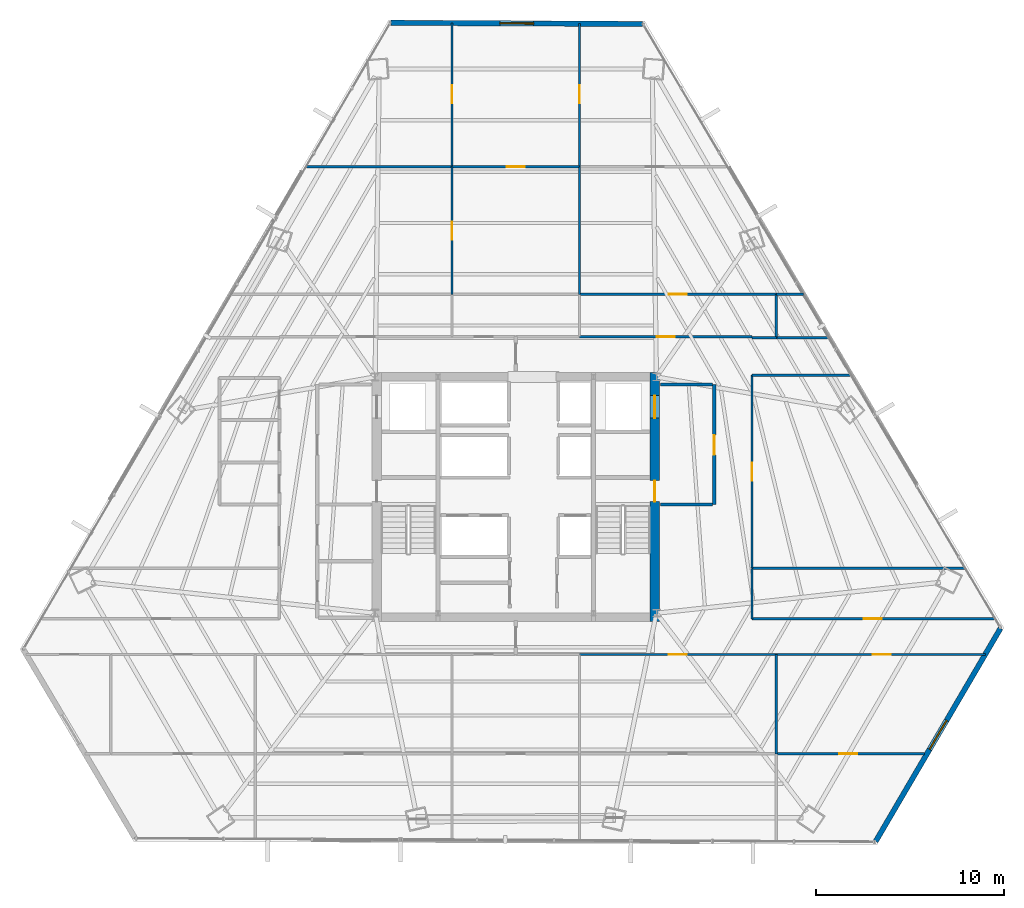
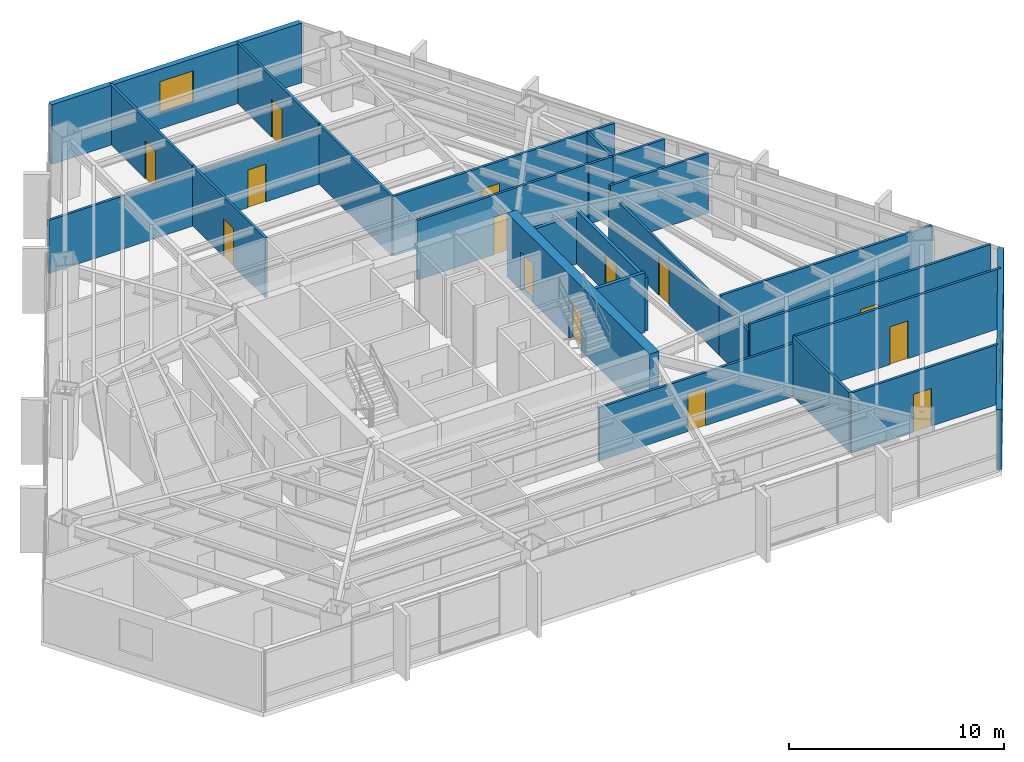
# One storey, part 31 of 35: 27 walls, 14 doors, 2 windows, 16 openings.
"""IFC4 building model written with IfcOpenShell, lengths in metres."""

from ifc_helpers import new_model, si_unit, direction, frame, frame_2d, origin, place, context, subcontext, project, spatial, rectangle, extrude, material, layer, layer_set, type_object, element, fill, save


model = new_model("IFC4")

# Units and contexts
model_context = context("Model", 3, precision=1e-05, world=origin(), true_north=direction((0.0, 1.0)))
body_context = subcontext(model_context, "Body", "Model", "MODEL_VIEW")
ifc_project = project(units=[si_unit("LENGTHUNIT", "METRE"), si_unit("AREAUNIT", "SQUARE_METRE"), si_unit("VOLUMEUNIT", "CUBIC_METRE"), si_unit("PLANEANGLEUNIT", "RADIAN"), si_unit("MASSUNIT", "GRAM", prefix="KILO")], contexts=[model_context])

# Site, building, storey
site_placement = place(None, origin())
site = spatial("IfcSite", under=ifc_project, at=site_placement, CompositionType="ELEMENT")
building_placement = place(site_placement, origin())
building = spatial("IfcBuilding", under=site, at=building_placement, Name="Caelisora Broadcast Tower", CompositionType="ELEMENT")
storey_placement = place(building_placement, frame((0.0, 0.0, 109.050048828125)))
storey = spatial("IfcBuildingStorey", under=building, at=storey_placement, Name="L28", CompositionType="ELEMENT", Elevation=109.050048828125)

# Wall, openings, doors
ifc_material_1 = material(Name="Concrete 50 MPa (AS 3600 S50)", Category="concrete")
ifc_layer_1 = layer(ifc_material_1, 0.5, Name="Concrete 50 MPa (AS 3600 S50)")
ifc_layer_set_1 = layer_set([ifc_layer_1], Name="Concrete 50 MPa (AS 3600 S50)")
wall_type_1 = type_object("IfcWallType", Name="CW2", PredefinedType="SHEAR", material=ifc_layer_set_1)
wall_1_placement = place(storey_placement, frame((45.409912109375, 16.949951171875, 0.0), z_axis=(0.0, 0.0, 1.0), x_axis=(0.0, 1.0, 0.0)))
wall_1 = element("IfcWall", 1, at=wall_1_placement, inside=storey, type_object=wall_type_1, Name="L28 core shear wall CW2", PredefinedType="SHEAR", context=body_context, shape_type="SweptSolid", body=[
    extrude(rectangle(XDim=13.275146484375, YDim=0.5, at=frame_2d((6.6376953125, 0.0))), origin(), (0.0, 0.0, 1.0), 3.64990234375),
])
opening_1_placement = place(wall_1_placement, frame((6.39990234375, 0.0, 0.0)))
opening_1 = element("IfcOpeningElement", 2, at=opening_1_placement, cuts=wall_1, Name="Opening FD04", PredefinedType="OPENING", context=body_context, shape_type="SweptSolid", body=[
    extrude(rectangle(XDim=1.1201171875, YDim=2.14990234375, at=frame_2d((0.56005859375, 1.074951171875))), frame((0.0, 0.261962890625, 0.0), z_axis=(0.0, -1.0, 0.0), x_axis=(1.0, 0.0, 0.0)), (0.0, 0.0, 1.0), 0.52392578125),
])
opening_2_placement = place(wall_1_placement, frame((10.85009765625, 0.0, 0.0)))
opening_2 = element("IfcOpeningElement", 3, at=opening_2_placement, cuts=wall_1, Name="Opening LD04", PredefinedType="OPENING", context=body_context, shape_type="SweptSolid", body=[
    extrude(rectangle(XDim=1.199951171875, YDim=2.199951171875, at=frame_2d((0.60009765625, 1.10009765625))), frame((0.0, 0.261962890625, 0.0), z_axis=(0.0, -1.0, 0.0), x_axis=(1.0, 0.0, 0.0)), (0.0, 0.0, 1.0), 0.52392578125),
])
ifc_material_2 = material(Name="Pressurised Fire-Isolated Stair Door", Category="steel")
door_type_1 = type_object("IfcDoorType", Name="FD04", OperationType="NOTDEFINED", PredefinedType="DOOR", material=ifc_material_2)
door_1_placement = place(opening_1_placement, origin())
door_1 = element("IfcDoor", 4, at=door_1_placement, inside=storey, type_object=door_type_1, Name="L28 door FD04 (L28-DR-ST2)", OperationType="SINGLE_SWING_RIGHT", OverallHeight=2.14990234375, OverallWidth=1.1201171875, PredefinedType="DOOR", context=body_context, shape_type="SweptSolid", body=[
    extrude(rectangle(XDim=1.1201171875, YDim=2.14990234375, at=frame_2d((0.56005859375, 1.074951171875))), frame((0.0, 0.02490234375, 0.0), z_axis=(0.0, -1.0, 0.0), x_axis=(1.0, 0.0, 0.0)), (0.0, 0.0, 1.0), 0.050048828125),
])
fill(opening_1, door_1)
ifc_material_3 = material(Name="Emergency Firefighting Lift Sliding Landing Door", Category="steel")
door_type_2 = type_object("IfcDoorType", Name="LD04", OperationType="NOTDEFINED", PredefinedType="DOOR", material=ifc_material_3)
door_2_placement = place(opening_2_placement, origin())
door_2 = element("IfcDoor", 5, at=door_2_placement, inside=storey, type_object=door_type_2, Name="L28 door LD04 (L28-LD-FFL2)", OperationType="SLIDING_TO_RIGHT", OverallHeight=2.199951171875, OverallWidth=1.199951171875, PredefinedType="DOOR", context=body_context, shape_type="SweptSolid", body=[
    extrude(rectangle(XDim=1.199951171875, YDim=2.199951171875, at=frame_2d((0.60009765625, 1.10009765625))), frame((0.0, 0.02490234375, 0.0), z_axis=(0.0, -1.0, 0.0), x_axis=(1.0, 0.0, 0.0)), (0.0, 0.0, 1.0), 0.050048828125),
])
fill(opening_2, door_2)

# Wall, opening, window
ifc_material_4 = material(Name="Insulated Terracotta Spandrel Wall System", Category="masonry")
ifc_layer_2 = layer(ifc_material_4, 0.280029296875, Name="Insulated Terracotta Spandrel Wall System")
ifc_layer_set_2 = layer_set([ifc_layer_2], Name="Insulated Terracotta Spandrel Wall System")
wall_type_2 = type_object("IfcWallType", Name="EW1", PredefinedType="STANDARD", material=ifc_layer_set_2)
wall_2_placement = place(storey_placement, frame((63.848876953125, 16.589111328125, 0.0), z_axis=(0.0, 0.0, 1.0), x_axis=(-0.505497625537, -0.862827995939, 0.0)))
wall_2 = element("IfcWall", 6, at=wall_2_placement, inside=storey, type_object=wall_type_2, Name="L28 exterior envelope wall EW1", PredefinedType="STANDARD", context=body_context, shape_type="SweptSolid", body=[
    extrude(rectangle(XDim=13.160400390625, YDim=0.280029296875, at=frame_2d((6.580078125, 0.0))), origin(), (0.0, 0.0, 1.0), 3.39990234375),
])
opening_3_placement = place(wall_2_placement, frame((5.679931640625, 0.0, 0.89990234375)))
opening_3 = element("IfcOpeningElement", 7, at=opening_3_placement, cuts=wall_2, Name="Opening W01", PredefinedType="OPENING", context=body_context, shape_type="SweptSolid", body=[
    extrude(rectangle(XDim=1.800048828125, YDim=1.800048828125, at=frame_2d((0.89990234375, 0.89990234375))), frame((0.0, 0.152099609375, 0.0), z_axis=(0.0, -1.0, 0.0), x_axis=(1.0, 0.0, 0.0)), (0.0, 0.0, 1.0), 0.303955078125),
])
ifc_material_5 = material(Name="Double Glazed Terracotta-Framed Vision Window", Category="glass")
window_type = type_object("IfcWindowType", Name="W01", PartitioningType="SINGLE_PANEL", PredefinedType="WINDOW", material=ifc_material_5)
window_1_placement = place(opening_3_placement, origin())
window_1 = element("IfcWindow", 8, at=window_1_placement, inside=storey, type_object=window_type, Name="L28 window W01 (L28-WN-CH0)", OverallHeight=1.800048828125, OverallWidth=1.800048828125, PartitioningType="SINGLE_PANEL", PredefinedType="WINDOW", context=body_context, shape_type="SweptSolid", body=[
    extrude(rectangle(XDim=1.800048828125, YDim=1.800048828125, at=frame_2d((0.89990234375, 0.89990234375))), frame((0.0, 0.030029296875, 0.0), z_axis=(0.0, -1.0, 0.0), x_axis=(1.0, 0.0, 0.0)), (0.0, 0.0, 1.0), 0.06005859375),
])
fill(opening_3, window_1)

wall_3_placement = place(storey_placement, frame((31.344970703125, 48.885986328125, 0.0), z_axis=(0.0, 0.0, 1.0), x_axis=(0.999988983451, -0.004693929804, 0.0)))
wall_3 = element("IfcWall", 9, at=wall_3_placement, inside=storey, type_object=wall_type_2, Name="L28 exterior envelope wall EW1", PredefinedType="STANDARD", context=body_context, shape_type="SweptSolid", body=[
    extrude(rectangle(XDim=13.419189453125, YDim=0.280029296875, at=frame_2d((6.70947265625, 0.0))), origin(), (0.0, 0.0, 1.0), 3.39990234375),
])
opening_4_placement = place(wall_3_placement, frame((5.81005859375, 0.0, 0.89990234375)))
opening_4 = element("IfcOpeningElement", 10, at=opening_4_placement, cuts=wall_3, Name="Opening W01", PredefinedType="OPENING", context=body_context, shape_type="SweptSolid", body=[
    extrude(rectangle(XDim=1.800048828125, YDim=1.800048828125, at=frame_2d((0.89990234375, 0.89990234375))), frame((0.0, 0.152099609375, 0.0), z_axis=(0.0, -1.0, 0.0), x_axis=(1.0, 0.0, 0.0)), (0.0, 0.0, 1.0), 0.303955078125),
])
window_2_placement = place(opening_4_placement, origin())
window_2 = element("IfcWindow", 11, at=window_2_placement, inside=storey, type_object=window_type, Name="L28 window W01 (L28-WN-CH8)", OverallHeight=1.800048828125, OverallWidth=1.800048828125, PartitioningType="SINGLE_PANEL", PredefinedType="WINDOW", context=body_context, shape_type="SweptSolid", body=[
    extrude(rectangle(XDim=1.800048828125, YDim=1.800048828125, at=frame_2d((0.89990234375, 0.89990234375))), frame((0.0, 0.030029296875, 0.0), z_axis=(0.0, -1.0, 0.0), x_axis=(1.0, 0.0, 0.0)), (0.0, 0.0, 1.0), 0.06005859375),
])
fill(opening_4, window_2)

# Wall, opening, door
ifc_material_6 = material(Name="Fire-Rated Gypsum Shaft and Compartment Wall", Category="gypsum")
ifc_layer_3 = layer(ifc_material_6, 0.179931640625, Name="Fire-Rated Gypsum Shaft and Compartment Wall")
ifc_layer_set_3 = layer_set([ifc_layer_3], Name="Fire-Rated Gypsum Shaft and Compartment Wall")
wall_type_3 = type_object("IfcWallType", Name="PW2", PredefinedType="PARTITIONING", material=ifc_layer_set_3)
wall_4_placement = place(storey_placement, frame((48.580078125, 23.199951171875, 0.0), z_axis=(0.0, 0.0, 1.0), x_axis=(0.0, 1.0, 0.0)))
wall_4 = element("IfcWall", 12, at=wall_4_placement, inside=storey, type_object=wall_type_3, Name="L28 fire compartment wall PW2", PredefinedType="PARTITIONING", context=body_context, shape_type="SweptSolid", body=[
    extrude(rectangle(XDim=6.400146484375, YDim=0.179931640625, at=frame_2d((3.2001953125, 0.0))), origin(), (0.0, 0.0, 1.0), 3.0263671875),
])
opening_5_placement = place(wall_4_placement, frame((2.64990234375, 0.0, 0.0)))
opening_5 = element("IfcOpeningElement", 13, at=opening_5_placement, cuts=wall_4, Name="Opening FD02", PredefinedType="OPENING", context=body_context, shape_type="SweptSolid", body=[
    extrude(rectangle(XDim=1.050048828125, YDim=2.14990234375, at=frame_2d((0.52490234375, 1.074951171875))), frame((0.0, 0.10205078125, 0.0), z_axis=(0.0, -1.0, 0.0), x_axis=(1.0, 0.0, 0.0)), (0.0, 0.0, 1.0), 0.203857421875),
])
ifc_material_7 = material(Name="Single-Leaf Steel Fire Lobby Door", Category="steel")
door_type_3 = type_object("IfcDoorType", Name="FD02", OperationType="NOTDEFINED", PredefinedType="DOOR", material=ifc_material_7)
door_3_placement = place(opening_5_placement, origin())
door_3 = element("IfcDoor", 14, at=door_3_placement, inside=storey, type_object=door_type_3, Name="L28 door FD02 (L28-DR-P04D1)", OperationType="SINGLE_SWING_LEFT", OverallHeight=2.14990234375, OverallWidth=1.050048828125, PredefinedType="DOOR", context=body_context, shape_type="SweptSolid", body=[
    extrude(rectangle(XDim=1.050048828125, YDim=2.14990234375, at=frame_2d((0.52490234375, 1.074951171875))), frame((0.0, 0.02490234375, 0.0), z_axis=(0.0, -1.0, 0.0), x_axis=(1.0, 0.0, 0.0)), (0.0, 0.0, 1.0), 0.050048828125),
])
fill(opening_5, door_3)

# Walls
wall_5_placement = place(storey_placement, frame((45.719970703125, 23.199951171875, 0.0), z_axis=(0.0, 0.0, 1.0), x_axis=(1.0, 0.0, 0.0)))
element("IfcWall", 15, at=wall_5_placement, inside=storey, type_object=wall_type_3, Name="L28 fire compartment wall PW2", PredefinedType="PARTITIONING", context=body_context, shape_type="SweptSolid", body=[
    extrude(rectangle(XDim=2.760009765625, YDim=0.179931640625, at=frame_2d((1.3798828125, 0.0))), origin(), (0.0, 0.0, 1.0), 3.39990234375),
])
wall_6_placement = place(storey_placement, frame((45.719970703125, 29.60009765625, 0.0), z_axis=(0.0, 0.0, 1.0), x_axis=(1.0, 0.0, 0.0)))
element("IfcWall", 16, at=wall_6_placement, inside=storey, type_object=wall_type_3, Name="L28 fire compartment wall PW2", PredefinedType="PARTITIONING", context=body_context, shape_type="SweptSolid", body=[
    extrude(rectangle(XDim=2.760009765625, YDim=0.179931640625, at=frame_2d((1.3798828125, 0.0))), origin(), (0.0, 0.0, 1.0), 2.78271484375),
])

# Wall, opening, door
ifc_material_8 = material(Name="Acoustic Steel-Stud Plasterboard Partition", Category="gypsum")
ifc_layer_4 = layer(ifc_material_8, 0.1298828125, Name="Acoustic Steel-Stud Plasterboard Partition")
ifc_layer_set_4 = layer_set([ifc_layer_4], Name="Acoustic Steel-Stud Plasterboard Partition")
wall_type_4 = type_object("IfcWallType", Name="PW3", PredefinedType="PARTITIONING", material=ifc_layer_set_4)
wall_7_placement = place(storey_placement, frame((63.582275390625, 17.10009765625, 0.0), z_axis=(0.0, 0.0, 1.0), x_axis=(-1.0, 0.0, 0.0)))
wall_7 = element("IfcWall", 17, at=wall_7_placement, inside=storey, type_object=wall_type_4, Name="L28 internal partition PW3", PredefinedType="PARTITIONING", context=body_context, shape_type="SweptSolid", body=[
    extrude(rectangle(XDim=12.977294921875, YDim=0.1298828125, at=frame_2d((6.48876953125, 0.0))), origin(), (0.0, 0.0, 1.0), 3.39990234375),
])
opening_6_placement = place(wall_7_placement, frame((6.06201171875, 0.0, 0.0)))
opening_6 = element("IfcOpeningElement", 18, at=opening_6_placement, cuts=wall_7, Name="Opening D01", PredefinedType="OPENING", context=body_context, shape_type="SweptSolid", body=[
    extrude(rectangle(XDim=0.9599609375, YDim=2.14990234375, at=frame_2d((0.47998046875, 1.074951171875))), frame((0.0, 0.076904296875, 0.0), z_axis=(0.0, -1.0, 0.0), x_axis=(1.0, 0.0, 0.0)), (0.0, 0.0, 1.0), 0.15380859375),
])
ifc_material_9 = material(Name="Solid-Core Timber Acoustic Office Door", Category="wood")
door_type_4 = type_object("IfcDoorType", Name="D01", OperationType="NOTDEFINED", PredefinedType="DOOR", material=ifc_material_9)
door_4_placement = place(opening_6_placement, origin())
door_4 = element("IfcDoor", 19, at=door_4_placement, inside=storey, type_object=door_type_4, Name="L28 door D01 (L28-DR-P28D1)", OperationType="SINGLE_SWING_RIGHT", OverallHeight=2.14990234375, OverallWidth=0.9599609375, PredefinedType="DOOR", context=body_context, shape_type="SweptSolid", body=[
    extrude(rectangle(XDim=0.9599609375, YDim=2.14990234375, at=frame_2d((0.47998046875, 1.074951171875))), frame((0.0, 0.02490234375, 0.0), z_axis=(0.0, -1.0, 0.0), x_axis=(1.0, 0.0, 0.0)), (0.0, 0.0, 1.0), 0.050048828125),
])
fill(opening_6, door_4)

# Wall
wall_8_placement = place(storey_placement, frame((50.60498046875, 19.800048828125, 0.0), z_axis=(0.0, 0.0, 1.0), x_axis=(1.0, 0.0, 0.0)))
element("IfcWall", 20, at=wall_8_placement, inside=storey, type_object=wall_type_4, Name="L28 internal partition PW3", PredefinedType="PARTITIONING", context=body_context, shape_type="SweptSolid", body=[
    extrude(rectangle(XDim=11.37890625, YDim=0.1298828125, at=frame_2d((5.689453125, 0.0))), origin(), (0.0, 0.0, 1.0), 3.39990234375),
])

# Wall, opening, door
wall_9_placement = place(storey_placement, frame((51.905029296875, 15.199951171875, 0.0), z_axis=(0.0, 0.0, 1.0), x_axis=(1.0, 0.0, 0.0)))
wall_9 = element("IfcWall", 21, at=wall_9_placement, inside=storey, type_object=wall_type_4, Name="L28 internal partition PW3", PredefinedType="PARTITIONING", context=body_context, shape_type="SweptSolid", body=[
    extrude(rectangle(XDim=11.135986328125, YDim=0.1298828125, at=frame_2d((5.56787109375, 0.0))), origin(), (0.0, 0.0, 1.0), 3.39990234375),
])
opening_7_placement = place(wall_9_placement, frame((5.14208984375, 0.0, 0.0)))
opening_7 = element("IfcOpeningElement", 22, at=opening_7_placement, cuts=wall_9, Name="Opening D01", PredefinedType="OPENING", context=body_context, shape_type="SweptSolid", body=[
    extrude(rectangle(XDim=0.9599609375, YDim=2.14990234375, at=frame_2d((0.47998046875, 1.074951171875))), frame((0.0, 0.076904296875, 0.0), z_axis=(0.0, -1.0, 0.0), x_axis=(1.0, 0.0, 0.0)), (0.0, 0.0, 1.0), 0.15380859375),
])
door_5_placement = place(opening_7_placement, origin())
door_5 = element("IfcDoor", 23, at=door_5_placement, inside=storey, type_object=door_type_4, Name="L28 door D01 (L28-DR-P32D1)", OperationType="SINGLE_SWING_RIGHT", OverallHeight=2.14990234375, OverallWidth=0.9599609375, PredefinedType="DOOR", context=body_context, shape_type="SweptSolid", body=[
    extrude(rectangle(XDim=0.9599609375, YDim=2.14990234375, at=frame_2d((0.47998046875, 1.074951171875))), frame((0.0, 0.02490234375, 0.0), z_axis=(0.0, -1.0, 0.0), x_axis=(1.0, 0.0, 0.0)), (0.0, 0.0, 1.0), 0.050048828125),
])
fill(opening_7, door_5)

wall_10_placement = place(storey_placement, frame((41.405029296875, 15.199951171875, 0.0), z_axis=(0.0, 0.0, 1.0), x_axis=(1.0, 0.0, 0.0)))
wall_10 = element("IfcWall", 24, at=wall_10_placement, inside=storey, type_object=wall_type_4, Name="L28 internal partition PW3", PredefinedType="PARTITIONING", context=body_context, shape_type="SweptSolid", body=[
    extrude(rectangle(XDim=10.489990234375, YDim=0.1298828125, at=frame_2d((5.2451171875, 0.0))), origin(), (0.0, 0.0, 1.0), 3.0263671875),
])
opening_8_placement = place(wall_10_placement, frame((4.764892578125, 0.0, 0.0)))
opening_8 = element("IfcOpeningElement", 25, at=opening_8_placement, cuts=wall_10, Name="Opening D01", PredefinedType="OPENING", context=body_context, shape_type="SweptSolid", body=[
    extrude(rectangle(XDim=0.9599609375, YDim=2.14990234375, at=frame_2d((0.47998046875, 1.074951171875))), frame((0.0, 0.076904296875, 0.0), z_axis=(0.0, -1.0, 0.0), x_axis=(1.0, 0.0, 0.0)), (0.0, 0.0, 1.0), 0.15380859375),
])
door_6_placement = place(opening_8_placement, origin())
door_6 = element("IfcDoor", 26, at=door_6_placement, inside=storey, type_object=door_type_4, Name="L28 door D01 (L28-DR-P35D1)", OperationType="SINGLE_SWING_RIGHT", OverallHeight=2.14990234375, OverallWidth=0.9599609375, PredefinedType="DOOR", context=body_context, shape_type="SweptSolid", body=[
    extrude(rectangle(XDim=0.9599609375, YDim=2.14990234375, at=frame_2d((0.47998046875, 1.074951171875))), frame((0.0, 0.02490234375, 0.0), z_axis=(0.0, -1.0, 0.0), x_axis=(1.0, 0.0, 0.0)), (0.0, 0.0, 1.0), 0.050048828125),
])
fill(opening_8, door_6)

wall_11_placement = place(storey_placement, frame((41.405029296875, 34.39990234375, 0.0), z_axis=(0.0, 0.0, 1.0), x_axis=(1.0, 0.0, 0.0)))
wall_11 = element("IfcWall", 27, at=wall_11_placement, inside=storey, type_object=wall_type_4, Name="L28 internal partition PW3", PredefinedType="PARTITIONING", context=body_context, shape_type="SweptSolid", body=[
    extrude(rectangle(XDim=10.489990234375, YDim=0.1298828125, at=frame_2d((5.2451171875, 0.0))), origin(), (0.0, 0.0, 1.0), 3.39990234375),
])
opening_9_placement = place(wall_11_placement, frame((4.764892578125, 0.0, 0.0)))
opening_9 = element("IfcOpeningElement", 28, at=opening_9_placement, cuts=wall_11, Name="Opening D01", PredefinedType="OPENING", context=body_context, shape_type="SweptSolid", body=[
    extrude(rectangle(XDim=0.9599609375, YDim=2.14990234375, at=frame_2d((0.47998046875, 1.074951171875))), frame((0.0, 0.076904296875, 0.0), z_axis=(0.0, -1.0, 0.0), x_axis=(1.0, 0.0, 0.0)), (0.0, 0.0, 1.0), 0.15380859375),
])
door_7_placement = place(opening_9_placement, origin())
door_7 = element("IfcDoor", 29, at=door_7_placement, inside=storey, type_object=door_type_4, Name="L28 door D01 (L28-DR-P38D1)", OperationType="SINGLE_SWING_LEFT", OverallHeight=2.14990234375, OverallWidth=0.9599609375, PredefinedType="DOOR", context=body_context, shape_type="SweptSolid", body=[
    extrude(rectangle(XDim=0.9599609375, YDim=2.14990234375, at=frame_2d((0.47998046875, 1.074951171875))), frame((0.0, 0.02490234375, 0.0), z_axis=(0.0, -1.0, 0.0), x_axis=(1.0, 0.0, 0.0)), (0.0, 0.0, 1.0), 0.050048828125),
])
fill(opening_9, door_7)

wall_12_placement = place(storey_placement, frame((50.60009765625, 19.804931640625, 0.0), z_axis=(0.0, 0.0, 1.0), x_axis=(0.0, 1.0, 0.0)))
wall_12 = element("IfcWall", 30, at=wall_12_placement, inside=storey, type_object=wall_type_4, Name="L28 internal partition PW3", PredefinedType="PARTITIONING", context=body_context, shape_type="SweptSolid", body=[
    extrude(rectangle(XDim=10.2900390625, YDim=0.1298828125, at=frame_2d((5.14501953125, 0.0))), origin(), (0.0, 0.0, 1.0), 3.0263671875),
])
opening_10_placement = place(wall_12_placement, frame((4.6650390625, 0.0, 0.0)))
opening_10 = element("IfcOpeningElement", 31, at=opening_10_placement, cuts=wall_12, Name="Opening D01", PredefinedType="OPENING", context=body_context, shape_type="SweptSolid", body=[
    extrude(rectangle(XDim=0.9599609375, YDim=2.14990234375, at=frame_2d((0.47998046875, 1.074951171875))), frame((0.0, 0.076904296875, 0.0), z_axis=(0.0, -1.0, 0.0), x_axis=(1.0, 0.0, 0.0)), (0.0, 0.0, 1.0), 0.15380859375),
])
door_8_placement = place(opening_10_placement, origin())
door_8 = element("IfcDoor", 32, at=door_8_placement, inside=storey, type_object=door_type_4, Name="L28 door D01 (L28-DR-P39D1)", OperationType="SINGLE_SWING_RIGHT", OverallHeight=2.14990234375, OverallWidth=0.9599609375, PredefinedType="DOOR", context=body_context, shape_type="SweptSolid", body=[
    extrude(rectangle(XDim=0.9599609375, YDim=2.14990234375, at=frame_2d((0.47998046875, 1.074951171875))), frame((0.0, 0.02490234375, 0.0), z_axis=(0.0, -1.0, 0.0), x_axis=(1.0, 0.0, 0.0)), (0.0, 0.0, 1.0), 0.050048828125),
])
fill(opening_10, door_8)

wall_13_placement = place(storey_placement, frame((41.405029296875, 32.14990234375, 0.0), z_axis=(0.0, 0.0, 1.0), x_axis=(1.0, 0.0, 0.0)))
wall_13 = element("IfcWall", 33, at=wall_13_placement, inside=storey, type_object=wall_type_4, Name="L28 internal partition PW3", PredefinedType="PARTITIONING", context=body_context, shape_type="SweptSolid", body=[
    extrude(rectangle(XDim=9.18994140625, YDim=0.1298828125, at=frame_2d((4.594970703125, 0.0))), origin(), (0.0, 0.0, 1.0), 3.39990234375),
])
opening_11_placement = place(wall_13_placement, frame((4.114990234375, 0.0, 0.0)))
opening_11 = element("IfcOpeningElement", 34, at=opening_11_placement, cuts=wall_13, Name="Opening D01", PredefinedType="OPENING", context=body_context, shape_type="SweptSolid", body=[
    extrude(rectangle(XDim=0.9599609375, YDim=2.14990234375, at=frame_2d((0.47998046875, 1.074951171875))), frame((0.0, 0.076904296875, 0.0), z_axis=(0.0, -1.0, 0.0), x_axis=(1.0, 0.0, 0.0)), (0.0, 0.0, 1.0), 0.15380859375),
])
door_9_placement = place(opening_11_placement, origin())
door_9 = element("IfcDoor", 35, at=door_9_placement, inside=storey, type_object=door_type_4, Name="L28 door D01 (L28-DR-P41D1)", OperationType="SINGLE_SWING_RIGHT", OverallHeight=2.14990234375, OverallWidth=0.9599609375, PredefinedType="DOOR", context=body_context, shape_type="SweptSolid", body=[
    extrude(rectangle(XDim=0.9599609375, YDim=2.14990234375, at=frame_2d((0.47998046875, 1.074951171875))), frame((0.0, 0.02490234375, 0.0), z_axis=(0.0, -1.0, 0.0), x_axis=(1.0, 0.0, 0.0)), (0.0, 0.0, 1.0), 0.050048828125),
])
fill(opening_11, door_9)

# Wall
wall_14_placement = place(storey_placement, frame((26.805908203125, 41.199951171875, 0.0), z_axis=(0.0, 0.0, 1.0), x_axis=(1.0, 0.0, 0.0)))
element("IfcWall", 36, at=wall_14_placement, inside=storey, type_object=wall_type_4, Name="L28 internal partition PW3", PredefinedType="PARTITIONING", context=body_context, shape_type="SweptSolid", body=[
    extrude(rectangle(XDim=7.7890625, YDim=0.1298828125, at=frame_2d((3.89453125, 0.0))), origin(), (0.0, 0.0, 1.0), 3.0263671875),
])

# Wall, opening, door
wall_15_placement = place(storey_placement, frame((34.60009765625, 41.205078125, 0.0), z_axis=(0.0, 0.0, 1.0), x_axis=(0.0, 1.0, 0.0)))
wall_15 = element("IfcWall", 37, at=wall_15_placement, inside=storey, type_object=wall_type_4, Name="L28 internal partition PW3", PredefinedType="PARTITIONING", context=body_context, shape_type="SweptSolid", body=[
    extrude(rectangle(XDim=7.67041015625, YDim=0.1298828125, at=frame_2d((3.835205078125, 0.0))), origin(), (0.0, 0.0, 1.0), 3.39990234375),
])
opening_12_placement = place(wall_15_placement, frame((3.403076171875, 0.0, 0.0)))
opening_12 = element("IfcOpeningElement", 38, at=opening_12_placement, cuts=wall_15, Name="Opening D01", PredefinedType="OPENING", context=body_context, shape_type="SweptSolid", body=[
    extrude(rectangle(XDim=0.9599609375, YDim=2.14990234375, at=frame_2d((0.47998046875, 1.074951171875))), frame((0.0, 0.076904296875, 0.0), z_axis=(0.0, -1.0, 0.0), x_axis=(1.0, 0.0, 0.0)), (0.0, 0.0, 1.0), 0.15380859375),
])
door_10_placement = place(opening_12_placement, origin())
door_10 = element("IfcDoor", 39, at=door_10_placement, inside=storey, type_object=door_type_4, Name="L28 door D01 (L28-DR-P44D1)", OperationType="SINGLE_SWING_RIGHT", OverallHeight=2.14990234375, OverallWidth=0.9599609375, PredefinedType="DOOR", context=body_context, shape_type="SweptSolid", body=[
    extrude(rectangle(XDim=0.9599609375, YDim=2.14990234375, at=frame_2d((0.47998046875, 1.074951171875))), frame((0.0, 0.02490234375, 0.0), z_axis=(0.0, -1.0, 0.0), x_axis=(1.0, 0.0, 0.0)), (0.0, 0.0, 1.0), 0.050048828125),
])
fill(opening_12, door_10)

wall_16_placement = place(storey_placement, frame((41.39990234375, 41.205078125, 0.0), z_axis=(0.0, 0.0, 1.0), x_axis=(0.0, 1.0, 0.0)))
wall_16 = element("IfcWall", 40, at=wall_16_placement, inside=storey, type_object=wall_type_4, Name="L28 internal partition PW3", PredefinedType="PARTITIONING", context=body_context, shape_type="SweptSolid", body=[
    extrude(rectangle(XDim=7.638916015625, YDim=0.1298828125, at=frame_2d((3.8193359375, 0.0))), origin(), (0.0, 0.0, 1.0), 3.39990234375),
])
opening_13_placement = place(wall_16_placement, frame((3.386962890625, 0.0, 0.0)))
opening_13 = element("IfcOpeningElement", 41, at=opening_13_placement, cuts=wall_16, Name="Opening D01", PredefinedType="OPENING", context=body_context, shape_type="SweptSolid", body=[
    extrude(rectangle(XDim=0.9599609375, YDim=2.14990234375, at=frame_2d((0.47998046875, 1.074951171875))), frame((0.0, 0.076904296875, 0.0), z_axis=(0.0, -1.0, 0.0), x_axis=(1.0, 0.0, 0.0)), (0.0, 0.0, 1.0), 0.15380859375),
])
door_11_placement = place(opening_13_placement, origin())
door_11 = element("IfcDoor", 42, at=door_11_placement, inside=storey, type_object=door_type_4, Name="L28 door D01 (L28-DR-P45D1)", OperationType="SINGLE_SWING_LEFT", OverallHeight=2.14990234375, OverallWidth=0.9599609375, PredefinedType="DOOR", context=body_context, shape_type="SweptSolid", body=[
    extrude(rectangle(XDim=0.9599609375, YDim=2.14990234375, at=frame_2d((0.47998046875, 1.074951171875))), frame((0.0, 0.02490234375, 0.0), z_axis=(0.0, -1.0, 0.0), x_axis=(1.0, 0.0, 0.0)), (0.0, 0.0, 1.0), 0.050048828125),
])
fill(opening_13, door_11)

wall_17_placement = place(storey_placement, frame((51.905029296875, 9.89990234375, 0.0), z_axis=(0.0, 0.0, 1.0), x_axis=(1.0, 0.0, 0.0)))
wall_17 = element("IfcWall", 43, at=wall_17_placement, inside=storey, type_object=wall_type_4, Name="L28 internal partition PW3", PredefinedType="PARTITIONING", context=body_context, shape_type="SweptSolid", body=[
    extrude(rectangle(XDim=7.89990234375, YDim=0.1298828125, at=frame_2d((3.949951171875, 0.0))), origin(), (0.0, 0.0, 1.0), 3.39990234375),
])
opening_14_placement = place(wall_17_placement, frame((3.35693359375, 0.0, 0.0)))
opening_14 = element("IfcOpeningElement", 44, at=opening_14_placement, cuts=wall_17, Name="Opening D01", PredefinedType="OPENING", context=body_context, shape_type="SweptSolid", body=[
    extrude(rectangle(XDim=0.9599609375, YDim=2.14990234375, at=frame_2d((0.47998046875, 1.074951171875))), frame((0.0, 0.076904296875, 0.0), z_axis=(0.0, -1.0, 0.0), x_axis=(1.0, 0.0, 0.0)), (0.0, 0.0, 1.0), 0.15380859375),
])
door_12_placement = place(opening_14_placement, origin())
door_12 = element("IfcDoor", 45, at=door_12_placement, inside=storey, type_object=door_type_4, Name="L28 door D01 (L28-DR-P48D1)", OperationType="SINGLE_SWING_RIGHT", OverallHeight=2.14990234375, OverallWidth=0.9599609375, PredefinedType="DOOR", context=body_context, shape_type="SweptSolid", body=[
    extrude(rectangle(XDim=0.9599609375, YDim=2.14990234375, at=frame_2d((0.47998046875, 1.074951171875))), frame((0.0, 0.02490234375, 0.0), z_axis=(0.0, -1.0, 0.0), x_axis=(1.0, 0.0, 0.0)), (0.0, 0.0, 1.0), 0.050048828125),
])
fill(opening_14, door_12)

# Wall
wall_18_placement = place(storey_placement, frame((41.39990234375, 34.405029296875, 0.0), z_axis=(0.0, 0.0, 1.0), x_axis=(0.0, 1.0, 0.0)))
element("IfcWall", 46, at=wall_18_placement, inside=storey, type_object=wall_type_4, Name="L28 internal partition PW3", PredefinedType="PARTITIONING", context=body_context, shape_type="SweptSolid", body=[
    extrude(rectangle(XDim=6.7900390625, YDim=0.1298828125, at=frame_2d((3.39501953125, 0.0))), origin(), (0.0, 0.0, 1.0), 3.39990234375),
])

# Wall, opening, door
wall_19_placement = place(storey_placement, frame((34.60009765625, 34.405029296875, 0.0), z_axis=(0.0, 0.0, 1.0), x_axis=(0.0, 1.0, 0.0)))
wall_19 = element("IfcWall", 47, at=wall_19_placement, inside=storey, type_object=wall_type_4, Name="L28 internal partition PW3", PredefinedType="PARTITIONING", context=body_context, shape_type="SweptSolid", body=[
    extrude(rectangle(XDim=6.7900390625, YDim=0.1298828125, at=frame_2d((3.39501953125, 0.0))), origin(), (0.0, 0.0, 1.0), 3.39990234375),
])
opening_15_placement = place(wall_19_placement, frame((2.9150390625, 0.0, 0.0)))
opening_15 = element("IfcOpeningElement", 48, at=opening_15_placement, cuts=wall_19, Name="Opening D01", PredefinedType="OPENING", context=body_context, shape_type="SweptSolid", body=[
    extrude(rectangle(XDim=0.9599609375, YDim=2.14990234375, at=frame_2d((0.47998046875, 1.074951171875))), frame((0.0, 0.076904296875, 0.0), z_axis=(0.0, -1.0, 0.0), x_axis=(1.0, 0.0, 0.0)), (0.0, 0.0, 1.0), 0.15380859375),
])
door_13_placement = place(opening_15_placement, origin())
door_13 = element("IfcDoor", 49, at=door_13_placement, inside=storey, type_object=door_type_4, Name="L28 door D01 (L28-DR-P50D1)", OperationType="SINGLE_SWING_LEFT", OverallHeight=2.14990234375, OverallWidth=0.9599609375, PredefinedType="DOOR", context=body_context, shape_type="SweptSolid", body=[
    extrude(rectangle(XDim=0.9599609375, YDim=2.14990234375, at=frame_2d((0.47998046875, 1.074951171875))), frame((0.0, 0.02490234375, 0.0), z_axis=(0.0, -1.0, 0.0), x_axis=(1.0, 0.0, 0.0)), (0.0, 0.0, 1.0), 0.050048828125),
])
fill(opening_15, door_13)

wall_20_placement = place(storey_placement, frame((34.60498046875, 41.199951171875, 0.0), z_axis=(0.0, 0.0, 1.0), x_axis=(1.0, 0.0, 0.0)))
wall_20 = element("IfcWall", 50, at=wall_20_placement, inside=storey, type_object=wall_type_4, Name="L28 internal partition PW3", PredefinedType="PARTITIONING", context=body_context, shape_type="SweptSolid", body=[
    extrude(rectangle(XDim=6.7900390625, YDim=0.1298828125, at=frame_2d((3.39501953125, 0.0))), origin(), (0.0, 0.0, 1.0), 3.0263671875),
])
opening_16_placement = place(wall_20_placement, frame((2.9150390625, 0.0, 0.0)))
opening_16 = element("IfcOpeningElement", 51, at=opening_16_placement, cuts=wall_20, Name="Opening D01", PredefinedType="OPENING", context=body_context, shape_type="SweptSolid", body=[
    extrude(rectangle(XDim=0.9599609375, YDim=2.14990234375, at=frame_2d((0.47998046875, 1.074951171875))), frame((0.0, 0.076904296875, 0.0), z_axis=(0.0, -1.0, 0.0), x_axis=(1.0, 0.0, 0.0)), (0.0, 0.0, 1.0), 0.15380859375),
])
door_14_placement = place(opening_16_placement, origin())
door_14 = element("IfcDoor", 52, at=door_14_placement, inside=storey, type_object=door_type_4, Name="L28 door D01 (L28-DR-P52D1)", OperationType="SINGLE_SWING_LEFT", OverallHeight=2.14990234375, OverallWidth=0.9599609375, PredefinedType="DOOR", context=body_context, shape_type="SweptSolid", body=[
    extrude(rectangle(XDim=0.9599609375, YDim=2.14990234375, at=frame_2d((0.47998046875, 1.074951171875))), frame((0.0, 0.02490234375, 0.0), z_axis=(0.0, -1.0, 0.0), x_axis=(1.0, 0.0, 0.0)), (0.0, 0.0, 1.0), 0.050048828125),
])
fill(opening_16, door_14)

# Walls
wall_21_placement = place(storey_placement, frame((50.60498046875, 30.10009765625, 0.0), z_axis=(0.0, 0.0, 1.0), x_axis=(1.0, 0.0, 0.0)))
element("IfcWall", 53, at=wall_21_placement, inside=storey, type_object=wall_type_4, Name="L28 internal partition PW3", PredefinedType="PARTITIONING", context=body_context, shape_type="SweptSolid", body=[
    extrude(rectangle(XDim=5.280517578125, YDim=0.1298828125, at=frame_2d((2.64013671875, 0.0))), origin(), (0.0, 0.0, 1.0), 3.39990234375),
])
wall_22_placement = place(storey_placement, frame((51.89990234375, 9.905029296875, 0.0), z_axis=(0.0, 0.0, 1.0), x_axis=(0.0, 1.0, 0.0)))
element("IfcWall", 54, at=wall_22_placement, inside=storey, type_object=wall_type_4, Name="L28 internal partition PW3", PredefinedType="PARTITIONING", context=body_context, shape_type="SweptSolid", body=[
    extrude(rectangle(XDim=5.2900390625, YDim=0.1298828125, at=frame_2d((2.64501953125, 0.0))), origin(), (0.0, 0.0, 1.0), 3.39990234375),
])
wall_23_placement = place(storey_placement, frame((51.905029296875, 32.10009765625, 0.0), z_axis=(0.0, 0.0, 1.0), x_axis=(1.0, 0.0, 0.0)))
element("IfcWall", 55, at=wall_23_placement, inside=storey, type_object=wall_type_4, Name="L28 internal partition PW3", PredefinedType="PARTITIONING", context=body_context, shape_type="SweptSolid", body=[
    extrude(rectangle(XDim=2.79638671875, YDim=0.1298828125, at=frame_2d((1.398193359375, 0.0))), origin(), (0.0, 0.0, 1.0), 3.39990234375),
])
wall_24_placement = place(storey_placement, frame((50.60009765625, 17.10498046875, 0.0), z_axis=(0.0, 0.0, 1.0), x_axis=(0.0, 1.0, 0.0)))
element("IfcWall", 56, at=wall_24_placement, inside=storey, type_object=wall_type_4, Name="L28 internal partition PW3", PredefinedType="PARTITIONING", context=body_context, shape_type="SweptSolid", body=[
    extrude(rectangle(XDim=2.68994140625, YDim=0.1298828125, at=frame_2d((1.344970703125, 0.0))), origin(), (0.0, 0.0, 1.0), 3.0263671875),
])
wall_25_placement = place(storey_placement, frame((51.89990234375, 32.10498046875, 0.0), z_axis=(0.0, 0.0, 1.0), x_axis=(0.0, 1.0, 0.0)))
element("IfcWall", 57, at=wall_25_placement, inside=storey, type_object=wall_type_4, Name="L28 internal partition PW3", PredefinedType="PARTITIONING", context=body_context, shape_type="SweptSolid", body=[
    extrude(rectangle(XDim=2.2900390625, YDim=0.1298828125, at=frame_2d((1.14501953125, 0.0))), origin(), (0.0, 0.0, 1.0), 3.39990234375),
])
wall_26_placement = place(storey_placement, frame((53.339599609375, 34.39990234375, 0.0), z_axis=(0.0, 0.0, 1.0), x_axis=(-1.0, 0.0, 0.0)))
element("IfcWall", 58, at=wall_26_placement, inside=storey, type_object=wall_type_4, Name="L28 internal partition PW3", PredefinedType="PARTITIONING", context=body_context, shape_type="SweptSolid", body=[
    extrude(rectangle(XDim=1.4345703125, YDim=0.1298828125, at=frame_2d((0.71728515625, 0.0))), origin(), (0.0, 0.0, 1.0), 3.39990234375),
])
wall_27_placement = place(storey_placement, frame((50.60498046875, 32.10009765625, 0.0), z_axis=(0.0, 0.0, 1.0), x_axis=(1.0, 0.0, 0.0)))
element("IfcWall", 59, at=wall_27_placement, inside=storey, type_object=wall_type_4, Name="L28 internal partition PW3", PredefinedType="PARTITIONING", context=body_context, shape_type="SweptSolid", body=[
    extrude(rectangle(XDim=1.2900390625, YDim=0.1298828125, at=frame_2d((0.64501953125, 0.0))), origin(), (0.0, 0.0, 1.0), 3.39990234375),
])

save(model, "model.ifc")
